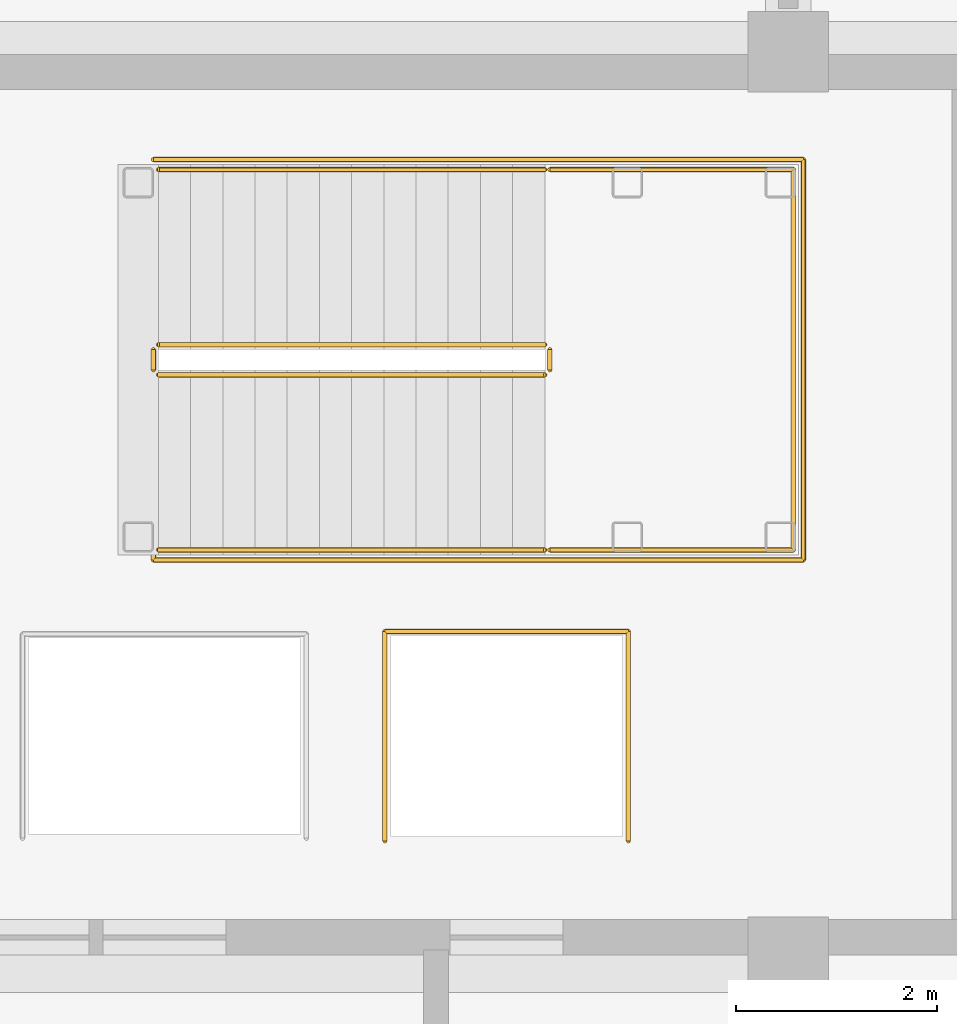
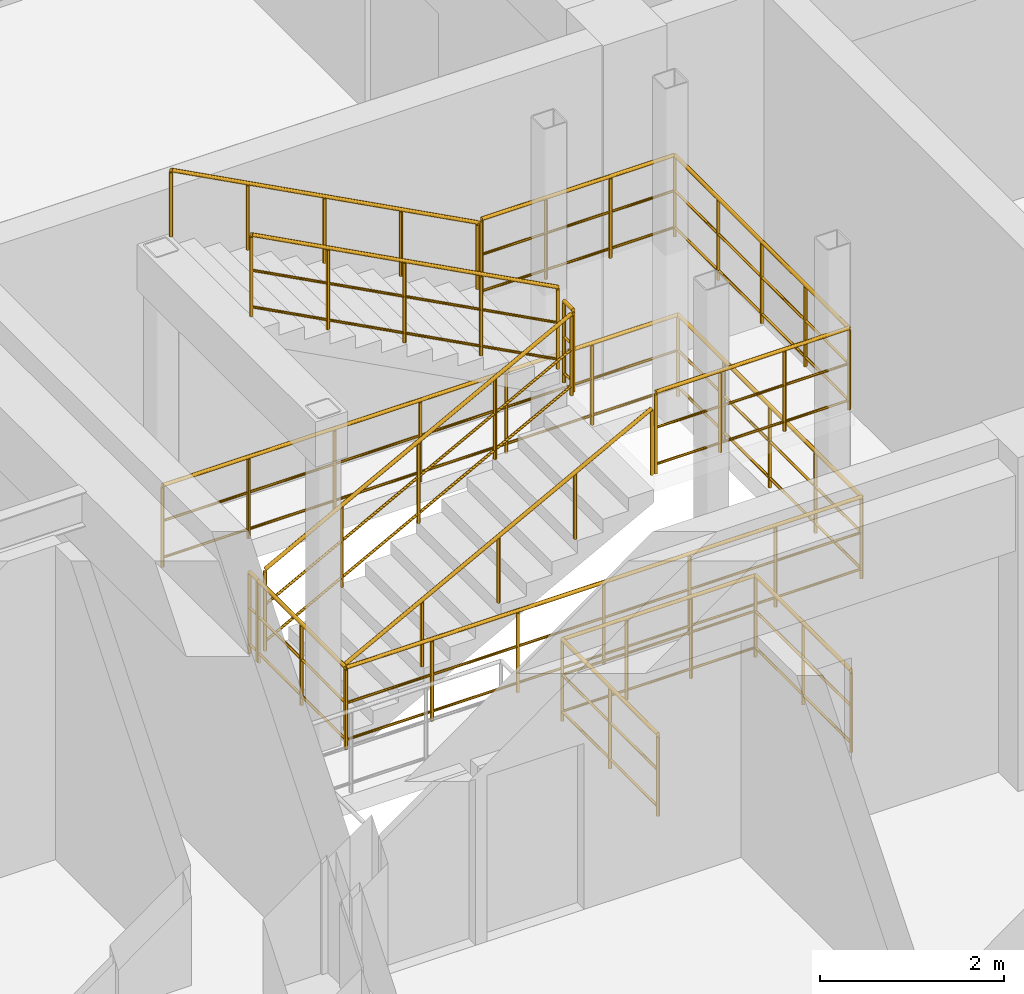
# One storey, part 128 of 133: 9 railings.
"""IFC4 building model written with IfcOpenShell, lengths in metres."""

import ifcopenshell
import ifcopenshell.guid

model = None  # the IFC model being written
_history = None  # IfcOwnerHistory: only IFC2X3 demands one
_inside = {}  # id of a spatial element -> (the spatial element, [elements in it])
_under = {}  # id of a project, library or spatial element -> (it, [spatial elements below it])
_declared = {}  # id of a project -> (the project, [libraries it declares])
_typed = {}  # id of a type object -> (the type object, [elements of that type])
_made_of = {}  # id of a material, layer set ... -> (it, [elements and type objects made of it])


def new_model(schema):
    """Start an empty IFC model of exactly this schema.

    Asked for "IFC4X3", IfcOpenShell would pick the latest addendum, in which some entities
    have other attributes; the version numbers below select the first issue.
    IFC2X3 requires an IfcOwnerHistory on every rooted entity: one is made here for all.
    """
    global model, _history
    if schema == "IFC4X3":
        model = ifcopenshell.file(schema_version=(4, 3, 0, 0))
    else:
        model = ifcopenshell.file(schema=schema)
    _inside.clear()
    _under.clear()
    _declared.clear()
    _typed.clear()
    _made_of.clear()
    _history = None
    if model.schema == "IFC2X3":
        org = make("IfcOrganization", Name="unknown")
        user = make(
            "IfcPersonAndOrganization",
            ThePerson=make("IfcPerson", FamilyName="unknown"),
            TheOrganization=org,
        )
        app = make(
            "IfcApplication",
            ApplicationDeveloper=org,
            Version="unknown",
            ApplicationFullName="unknown",
            ApplicationIdentifier="unknown",
        )
        _history = make(
            "IfcOwnerHistory",
            OwningUser=user,
            OwningApplication=app,
            ChangeAction="ADDED",
            CreationDate=0,
        )
    return model


def make(cls, **values):
    """One entity of the class cls with the attributes given. An attribute that is None is left unset."""
    return model.create_entity(
        cls, **{name: value for name, value in values.items() if value is not None}
    )


def rooted(cls, **values):
    """An entity with a GlobalId (a new one), such as an element, a storey or a relation."""
    return make(cls, GlobalId=ifcopenshell.guid.new(), OwnerHistory=_history, **values)


def si_unit(unit_type, name, prefix=None):
    """IfcSIUnit, for example si_unit("LENGTHUNIT", "METRE", prefix="MILLI")."""
    return make("IfcSIUnit", UnitType=unit_type, Prefix=prefix, Name=name)


def assignment(units):
    """IfcUnitAssignment: the units of a project."""
    return None if units is None else make("IfcUnitAssignment", Units=units)


def point(xyz):
    """IfcCartesianPoint."""
    return None if xyz is None else make("IfcCartesianPoint", Coordinates=xyz)


def direction(xyz):
    """IfcDirection."""
    return None if xyz is None else make("IfcDirection", DirectionRatios=xyz)


def frame(location, z_axis=None, x_axis=None):
    """IfcAxis2Placement3D, a coordinate frame: its origin and axes. An axis left out is left unset."""
    return make(
        "IfcAxis2Placement3D",
        Location=point(location),
        Axis=direction(z_axis),
        RefDirection=direction(x_axis),
    )


def frame_2d(location, x_axis=None):
    """IfcAxis2Placement2D, a coordinate frame in the plane: its origin and x axis."""
    return make(
        "IfcAxis2Placement2D", Location=point(location), RefDirection=direction(x_axis)
    )


def origin():
    """The frame at (0, 0, 0) with its axes left unset."""
    return frame((0.0, 0.0, 0.0))


def origin_2d():
    """The frame at (0, 0) in the plane with its x axis left unset."""
    return frame_2d((0.0, 0.0))


def place(relative_to, where):
    """IfcLocalPlacement: puts the frame where relative to a parent placement (None: the world)."""
    return make(
        "IfcLocalPlacement", PlacementRelTo=relative_to, RelativePlacement=where
    )


def context(
    kind, dimensions, precision=None, world=None, true_north=None, identifier=None
):
    """IfcGeometricRepresentationContext, for example the 3D "Model" context."""
    return make(
        "IfcGeometricRepresentationContext",
        ContextIdentifier=identifier,
        ContextType=kind,
        CoordinateSpaceDimension=dimensions,
        Precision=precision,
        WorldCoordinateSystem=world,
        TrueNorth=true_north,
    )


def subcontext(parent, identifier, kind, view, scale=None):
    """IfcGeometricRepresentationSubContext, for example "Body" below "Model"."""
    return make(
        "IfcGeometricRepresentationSubContext",
        ContextIdentifier=identifier,
        ContextType=kind,
        ParentContext=parent,
        TargetScale=scale,
        TargetView=view,
    )


def project(units=None, contexts=None):
    """IfcProject with its units and contexts."""
    return rooted(
        "IfcProject",
        Name="project",
        RepresentationContexts=contexts,
        UnitsInContext=assignment(units),
    )


def spatial(cls, under=None, at=None, **own):
    """A site, building, storey or space (cls), placed at a placement, below another one or the project."""
    s = rooted(cls, ObjectPlacement=at, **own)
    if under is not None:
        _under.setdefault(under.id(), (under, []))[1].append(s)
    return s


def profile(cls, at=None, kind="AREA", **sizes):
    """A parametric profile (cls). Its sizes go by their IFC names, for example OverallWidth=200.0."""
    return make(cls, ProfileType=kind, Position=at, **sizes)


def circle(**sizes):
    """IfcCircleProfileDef."""
    return profile("IfcCircleProfileDef", **sizes)


def extrude(swept, where, along, depth):
    """IfcExtrudedAreaSolid: the profile swept, set in the frame where, extruded along a direction by depth."""
    return make(
        "IfcExtrudedAreaSolid",
        SweptArea=swept,
        Position=where,
        ExtrudedDirection=direction(along),
        Depth=depth,
    )


def shape(context_of_items, identifier, shape_type, items):
    """IfcShapeRepresentation: the items that make up one representation, for example the "Body"."""
    return make(
        "IfcShapeRepresentation",
        ContextOfItems=context_of_items,
        RepresentationIdentifier=identifier,
        RepresentationType=shape_type,
        Items=items,
    )


def material(Name=None, Category=None):
    """IfcMaterial."""
    return make("IfcMaterial", Name=Name, Category=Category)


def made_of(thing, what):
    """Note that an element or type object is made of a material, layer set ...; save() writes the relation."""
    if what is not None:
        _made_of.setdefault(what.id(), (what, []))[1].append(thing)
    return thing


def type_object(cls, material=None, **own):
    """A type object (cls), such as IfcWallType, which elements share."""
    return made_of(rooted(cls, **own), material)


def element(
    cls,
    number,
    at=None,
    inside=None,
    cuts=None,
    type_object=None,
    material=None,
    context=None,
    identifier="Body",
    shape_type=None,
    held_by="IfcProductDefinitionShape",
    body=None,
    shapes=None,
    **own,
):
    """One element of the class cls, such as IfcWall. Its Tag is "e" and its number.

    at: its placement. inside: the storey or other place that contains it. cuts: it is an
    opening in that element (IfcRelVoidsElement). A single representation is given by context,
    identifier, shape_type and body (its items); several are given by shapes. held_by: the class
    of the entity that holds the representations. save() writes the other relations.
    """
    e = rooted(cls, Tag="e%d" % number, ObjectPlacement=at, **own)
    if body is not None:
        shapes = [shape(context, identifier, shape_type, body)]
    if shapes is not None:
        e.Representation = make(held_by, Representations=shapes)
    if inside is not None:
        _inside.setdefault(inside.id(), (inside, []))[1].append(e)
    if cuts is not None:
        rooted(
            "IfcRelVoidsElement", RelatingBuildingElement=cuts, RelatedOpeningElement=e
        )
    if type_object is not None:
        _typed.setdefault(type_object.id(), (type_object, []))[1].append(e)
    return made_of(e, material)


def aggregate(whole, parts):
    """IfcRelAggregates: a whole, such as a stair, and the parts it consists of."""
    return rooted("IfcRelAggregates", RelatingObject=whole, RelatedObjects=parts)


def save(model, path):
    """Write the relations noted so far, then the file.

    IfcRelAggregates (storeys below a building ...), IfcRelContainedInSpatialStructure (elements
    in a storey), IfcRelDefinesByType, IfcRelAssociatesMaterial and IfcRelDeclares: one each for
    every whole, place, type object, material and project.
    """
    for whole, parts in _under.values():
        aggregate(whole, parts)
    for where, things in _inside.values():
        rooted(
            "IfcRelContainedInSpatialStructure",
            RelatedElements=things,
            RelatingStructure=where,
        )
    for kind, things in _typed.values():
        rooted("IfcRelDefinesByType", RelatedObjects=things, RelatingType=kind)
    for what, things in _made_of.values():
        rooted("IfcRelAssociatesMaterial", RelatedObjects=things, RelatingMaterial=what)
    for by, libraries in _declared.values():
        rooted("IfcRelDeclares", RelatingContext=by, RelatedDefinitions=libraries)
    model.write(path)


model = new_model("IFC4")

# Units and contexts
model_context = context("Model", 3, precision=1e-05, world=origin(), true_north=direction((0.0, 1.0)))
body_context = subcontext(model_context, "Body", "Model", "MODEL_VIEW")
ifc_project = project(units=[si_unit("LENGTHUNIT", "METRE"), si_unit("AREAUNIT", "SQUARE_METRE"), si_unit("VOLUMEUNIT", "CUBIC_METRE"), si_unit("PLANEANGLEUNIT", "RADIAN"), si_unit("MASSUNIT", "GRAM", prefix="KILO")], contexts=[model_context])

# Site, building, storey
site_placement = place(None, origin())
site = spatial("IfcSite", under=ifc_project, at=site_placement, CompositionType="ELEMENT")
building_placement = place(site_placement, origin())
building = spatial("IfcBuilding", under=site, at=building_placement, Name="Miravela Opera House", CompositionType="ELEMENT")
storey_placement = place(building_placement, frame((0.0, 0.0, 5.10009765625)))
storey = spatial("IfcBuildingStorey", under=building, at=storey_placement, Name="L01", CompositionType="ELEMENT", Elevation=5.10009765625)

# Railings
ifc_material_1 = material(Name="Brushed bronze continuous stair handrail")
railing_type_1 = type_object("IfcRailingType", Name="ARC-RAIL-HAND-900", PredefinedType="HANDRAIL", material=ifc_material_1)
railing_1_placement = place(storey_placement, frame((47.739990234375, 70.050048828125, 0.169921875)))
element("IfcRailing", 1, at=railing_1_placement, inside=storey, type_object=railing_type_1, Name="L01 ST-01 stair handrail 1", PredefinedType="HANDRAIL", context=body_context, shape_type="SweptSolid", body=[
    extrude(circle(Radius=0.02392578125, at=origin_2d()), frame((0.0, 0.0, 0.8759765625), z_axis=(0.883116446401, 0.0, 0.469153857596), x_axis=(0.0, 1.0, 0.0)), (0.0, 0.0, 1.0), 4.348388671875),
    extrude(circle(Radius=0.02099609375, at=origin_2d()), origin(), (0.0, 0.0, 1.0), 0.851806640625),
    extrude(circle(Radius=0.02099609375, at=origin_2d()), frame((0.9599609375, 0.0, 0.510009765625)), (0.0, 0.0, 1.0), 0.851806640625),
    extrude(circle(Radius=0.02099609375, at=origin_2d()), frame((1.919921875, 0.0, 1.02001953125)), (0.0, 0.0, 1.0), 0.851806640625),
    extrude(circle(Radius=0.02099609375, at=origin_2d()), frame((2.880126953125, 0.0, 1.530029296875)), (0.0, 0.0, 1.0), 0.851806640625),
    extrude(circle(Radius=0.02099609375, at=origin_2d()), frame((3.840087890625, 0.0, 2.0400390625)), (0.0, 0.0, 1.0), 0.851806640625),
])
railing_2_placement = place(storey_placement, frame((51.580078125, 73.830078125, 2.3798828125)))
element("IfcRailing", 2, at=railing_2_placement, inside=storey, type_object=railing_type_1, Name="L01 ST-01 stair handrail 2", PredefinedType="HANDRAIL", context=body_context, shape_type="SweptSolid", body=[
    extrude(circle(Radius=0.02392578125, at=origin_2d()), frame((0.0, 0.0, 0.8759765625), z_axis=(-0.883116446401, 0.0, 0.469153857596), x_axis=(0.0, -1.0, 0.0)), (0.0, 0.0, 1.0), 4.348388671875),
    extrude(circle(Radius=0.02099609375, at=origin_2d()), origin(), (0.0, 0.0, 1.0), 0.851806640625),
    extrude(circle(Radius=0.02099609375, at=origin_2d()), frame((-0.9599609375, 0.0, 0.510009765625)), (0.0, 0.0, 1.0), 0.851806640625),
    extrude(circle(Radius=0.02099609375, at=origin_2d()), frame((-1.919921875, 0.0, 1.02001953125)), (0.0, 0.0, 1.0), 0.851806640625),
    extrude(circle(Radius=0.02099609375, at=origin_2d()), frame((-2.880126953125, 0.0, 1.530029296875)), (0.0, 0.0, 1.0), 0.851806640625),
    extrude(circle(Radius=0.02099609375, at=origin_2d()), frame((-3.840087890625, 0.0, 2.0400390625)), (0.0, 0.0, 1.0), 0.851806640625),
])
ifc_material_2 = material(Name="Painted wrought-iron stair guardrail")
railing_type_2 = type_object("IfcRailingType", Name="ARC-RAIL-STAIR-GUARD", PredefinedType="GUARDRAIL", material=ifc_material_2)
railing_3_placement = place(storey_placement, frame((47.739990234375, 71.7900390625, 0.169921875)))
element("IfcRailing", 3, at=railing_3_placement, inside=storey, type_object=railing_type_2, Name="L01 ST-01 stair guard 1", PredefinedType="GUARDRAIL", context=body_context, shape_type="SweptSolid", body=[
    extrude(circle(Radius=0.02392578125, at=origin_2d()), frame((0.0, 0.0, 1.076171875), z_axis=(0.883116446401, 0.0, 0.469153857596), x_axis=(0.0, 1.0, 0.0)), (0.0, 0.0, 1.0), 4.348388671875),
    extrude(circle(Radius=0.01611328125, at=origin_2d()), frame((0.0, 0.0, 0.60498046875), z_axis=(0.883116446401, 0.0, 0.469153857596), x_axis=(0.0, 1.0, 0.0)), (0.0, 0.0, 1.0), 4.348388671875),
    extrude(circle(Radius=0.01611328125, at=origin_2d()), frame((0.0, 0.0, 0.1201171875), z_axis=(0.883116446401, 0.0, 0.469153857596), x_axis=(0.0, 1.0, 0.0)), (0.0, 0.0, 1.0), 4.348388671875),
    extrude(circle(Radius=0.02099609375, at=origin_2d()), origin(), (0.0, 0.0, 1.0), 1.052001953125),
    extrude(circle(Radius=0.02099609375, at=origin_2d()), frame((0.9599609375, 0.0, 0.510009765625)), (0.0, 0.0, 1.0), 1.052001953125),
    extrude(circle(Radius=0.02099609375, at=origin_2d()), frame((1.919921875, 0.0, 1.02001953125)), (0.0, 0.0, 1.0), 1.052001953125),
    extrude(circle(Radius=0.02099609375, at=origin_2d()), frame((2.880126953125, 0.0, 1.530029296875)), (0.0, 0.0, 1.0), 1.052001953125),
    extrude(circle(Radius=0.02099609375, at=origin_2d()), frame((3.840087890625, 0.0, 2.0400390625)), (0.0, 0.0, 1.0), 1.052001953125),
])
railing_4_placement = place(storey_placement, frame((51.6298828125, 71.840087890625, 2.2099609375)))
element("IfcRailing", 4, at=railing_4_placement, inside=storey, type_object=railing_type_2, Name="L01 ST-01 stair guard 2", PredefinedType="GUARDRAIL", context=body_context, shape_type="SweptSolid", body=[
    extrude(circle(Radius=0.02392578125, at=origin_2d()), frame((0.0, 0.0, 1.076171875), z_axis=(0.0, 1.0, 0.0), x_axis=(-1.0, 0.0, 0.0)), (0.0, 0.0, 1.0), 0.199951171875),
    extrude(circle(Radius=0.01611328125, at=origin_2d()), frame((0.0, 0.0, 0.60498046875), z_axis=(0.0, 1.0, 0.0), x_axis=(-1.0, 0.0, 0.0)), (0.0, 0.0, 1.0), 0.199951171875),
    extrude(circle(Radius=0.01611328125, at=origin_2d()), frame((0.0, 0.0, 0.1201171875), z_axis=(0.0, 1.0, 0.0), x_axis=(-1.0, 0.0, 0.0)), (0.0, 0.0, 1.0), 0.199951171875),
    extrude(circle(Radius=0.02099609375, at=origin_2d()), origin(), (0.0, 0.0, 1.0), 1.052001953125),
    extrude(circle(Radius=0.02099609375, at=origin_2d()), frame((0.0, 0.199951171875, 0.0)), (0.0, 0.0, 1.0), 1.052001953125),
])
railing_5_placement = place(storey_placement, frame((51.580078125, 72.090087890625, 2.3798828125)))
element("IfcRailing", 5, at=railing_5_placement, inside=storey, type_object=railing_type_2, Name="L01 ST-01 stair guard 3", PredefinedType="GUARDRAIL", context=body_context, shape_type="SweptSolid", body=[
    extrude(circle(Radius=0.02392578125, at=origin_2d()), frame((0.0, 0.0, 1.076171875), z_axis=(-0.883116446401, 0.0, 0.469153857596), x_axis=(0.0, -1.0, 0.0)), (0.0, 0.0, 1.0), 4.348388671875),
    extrude(circle(Radius=0.01611328125, at=origin_2d()), frame((0.0, 0.0, 0.60498046875), z_axis=(-0.883116446401, 0.0, 0.469153857596), x_axis=(0.0, -1.0, 0.0)), (0.0, 0.0, 1.0), 4.348388671875),
    extrude(circle(Radius=0.01611328125, at=origin_2d()), frame((0.0, 0.0, 0.1201171875), z_axis=(-0.883116446401, 0.0, 0.469153857596), x_axis=(0.0, -1.0, 0.0)), (0.0, 0.0, 1.0), 4.348388671875),
    extrude(circle(Radius=0.02099609375, at=origin_2d()), origin(), (0.0, 0.0, 1.0), 1.052001953125),
    extrude(circle(Radius=0.02099609375, at=origin_2d()), frame((-0.9599609375, 0.0, 0.510009765625)), (0.0, 0.0, 1.0), 1.052001953125),
    extrude(circle(Radius=0.02099609375, at=origin_2d()), frame((-1.919921875, 0.0, 1.02001953125)), (0.0, 0.0, 1.0), 1.052001953125),
    extrude(circle(Radius=0.02099609375, at=origin_2d()), frame((-2.880126953125, 0.0, 1.530029296875)), (0.0, 0.0, 1.0), 1.052001953125),
    extrude(circle(Radius=0.02099609375, at=origin_2d()), frame((-3.840087890625, 0.0, 2.0400390625)), (0.0, 0.0, 1.0), 1.052001953125),
])
railing_6_placement = place(storey_placement, frame((47.68994140625, 71.840087890625, 0.0)))
element("IfcRailing", 6, at=railing_6_placement, inside=storey, type_object=railing_type_2, Name="L01 ST-01 stair guard 4", PredefinedType="GUARDRAIL", context=body_context, shape_type="SweptSolid", body=[
    extrude(circle(Radius=0.02392578125, at=origin_2d()), frame((0.0, 0.0, 1.076171875), z_axis=(0.0, 1.0, 0.0), x_axis=(-1.0, 0.0, 0.0)), (0.0, 0.0, 1.0), 0.199951171875),
    extrude(circle(Radius=0.01611328125, at=origin_2d()), frame((0.0, 0.0, 0.60498046875), z_axis=(0.0, 1.0, 0.0), x_axis=(-1.0, 0.0, 0.0)), (0.0, 0.0, 1.0), 0.199951171875),
    extrude(circle(Radius=0.01611328125, at=origin_2d()), frame((0.0, 0.0, 0.1201171875), z_axis=(0.0, 1.0, 0.0), x_axis=(-1.0, 0.0, 0.0)), (0.0, 0.0, 1.0), 0.199951171875),
    extrude(circle(Radius=0.02099609375, at=origin_2d()), origin(), (0.0, 0.0, 1.0), 1.052001953125),
    extrude(circle(Radius=0.02099609375, at=origin_2d()), frame((0.0, 0.199951171875, 0.0)), (0.0, 0.0, 1.0), 1.052001953125),
])
railing_7_placement = place(storey_placement, frame((51.6298828125, 70.050048828125, 2.2099609375)))
element("IfcRailing", 7, at=railing_7_placement, inside=storey, type_object=railing_type_2, Name="Stair ST-01 Half-Landing Perimeter Guard (L01) 0003", PredefinedType="GUARDRAIL", context=body_context, shape_type="SweptSolid", body=[
    extrude(circle(Radius=0.02392578125, at=origin_2d()), frame((0.0, 0.0, 1.076171875), z_axis=(1.0, 0.0, 0.0), x_axis=(0.0, 1.0, 0.0)), (0.0, 0.0, 1.0), 2.420166015625),
    extrude(circle(Radius=0.01611328125, at=origin_2d()), frame((0.0, 0.0, 0.60498046875), z_axis=(1.0, 0.0, 0.0), x_axis=(0.0, 1.0, 0.0)), (0.0, 0.0, 1.0), 2.420166015625),
    extrude(circle(Radius=0.01611328125, at=origin_2d()), frame((0.0, 0.0, 0.1201171875), z_axis=(1.0, 0.0, 0.0), x_axis=(0.0, 1.0, 0.0)), (0.0, 0.0, 1.0), 2.420166015625),
    extrude(circle(Radius=0.02392578125, at=origin_2d()), frame((2.420166015625, 0.0, 1.076171875), z_axis=(0.0, 1.0, 0.0), x_axis=(-1.0, 0.0, 0.0)), (0.0, 0.0, 1.0), 3.780029296875),
    extrude(circle(Radius=0.01611328125, at=origin_2d()), frame((2.420166015625, 0.0, 0.60498046875), z_axis=(0.0, 1.0, 0.0), x_axis=(-1.0, 0.0, 0.0)), (0.0, 0.0, 1.0), 3.780029296875),
    extrude(circle(Radius=0.01611328125, at=origin_2d()), frame((2.420166015625, 0.0, 0.1201171875), z_axis=(0.0, 1.0, 0.0), x_axis=(-1.0, 0.0, 0.0)), (0.0, 0.0, 1.0), 3.780029296875),
    extrude(circle(Radius=0.02392578125, at=origin_2d()), frame((2.420166015625, 3.780029296875, 1.076171875), z_axis=(-1.0, 0.0, 0.0), x_axis=(0.0, -1.0, 0.0)), (0.0, 0.0, 1.0), 2.420166015625),
    extrude(circle(Radius=0.01611328125, at=origin_2d()), frame((2.420166015625, 3.780029296875, 0.60498046875), z_axis=(-1.0, 0.0, 0.0), x_axis=(0.0, -1.0, 0.0)), (0.0, 0.0, 1.0), 2.420166015625),
    extrude(circle(Radius=0.01611328125, at=origin_2d()), frame((2.420166015625, 3.780029296875, 0.1201171875), z_axis=(-1.0, 0.0, 0.0), x_axis=(0.0, -1.0, 0.0)), (0.0, 0.0, 1.0), 2.420166015625),
    extrude(circle(Radius=0.02099609375, at=origin_2d()), origin(), (0.0, 0.0, 1.0), 1.052001953125),
    extrude(circle(Radius=0.02099609375, at=origin_2d()), frame((0.806640625, 0.0, 0.0)), (0.0, 0.0, 1.0), 1.052001953125),
    extrude(circle(Radius=0.02099609375, at=origin_2d()), frame((1.613525390625, 0.0, 0.0)), (0.0, 0.0, 1.0), 1.052001953125),
    extrude(circle(Radius=0.02099609375, at=origin_2d()), frame((2.420166015625, 0.0, 0.0)), (0.0, 0.0, 1.0), 1.052001953125),
    extrude(circle(Radius=0.02099609375, at=origin_2d()), frame((2.420166015625, 0.945068359375, 0.0)), (0.0, 0.0, 1.0), 1.052001953125),
    extrude(circle(Radius=0.02099609375, at=origin_2d()), frame((2.420166015625, 1.89013671875, 0.0)), (0.0, 0.0, 1.0), 1.052001953125),
    extrude(circle(Radius=0.02099609375, at=origin_2d()), frame((2.420166015625, 2.8349609375, 0.0)), (0.0, 0.0, 1.0), 1.052001953125),
    extrude(circle(Radius=0.02099609375, at=origin_2d()), frame((2.420166015625, 3.780029296875, 0.0)), (0.0, 0.0, 1.0), 1.052001953125),
    extrude(circle(Radius=0.02099609375, at=origin_2d()), frame((1.613525390625, 3.780029296875, 0.0)), (0.0, 0.0, 1.0), 1.052001953125),
    extrude(circle(Radius=0.02099609375, at=origin_2d()), frame((0.806640625, 3.780029296875, 0.0)), (0.0, 0.0, 1.0), 1.052001953125),
    extrude(circle(Radius=0.02099609375, at=origin_2d()), frame((0.0, 3.780029296875, 0.0)), (0.0, 0.0, 1.0), 1.052001953125),
])
railing_8_placement = place(storey_placement, frame((47.68994140625, 71.8701171875, 0.0)))
element("IfcRailing", 8, at=railing_8_placement, inside=storey, type_object=railing_type_2, Name="Stair ST-01 Well Slab Opening Guard (L01) 0008", PredefinedType="GUARDRAIL", context=body_context, shape_type="SweptSolid", body=[
    extrude(circle(Radius=0.02392578125, at=origin_2d()), frame((0.0, 0.0, 1.076171875), z_axis=(0.0, -1.0, 0.0), x_axis=(1.0, 0.0, 0.0)), (0.0, 0.0, 1.0), 1.920166015625),
    extrude(circle(Radius=0.01611328125, at=origin_2d()), frame((0.0, 0.0, 0.60498046875), z_axis=(0.0, -1.0, 0.0), x_axis=(1.0, 0.0, 0.0)), (0.0, 0.0, 1.0), 1.920166015625),
    extrude(circle(Radius=0.01611328125, at=origin_2d()), frame((0.0, 0.0, 0.1201171875), z_axis=(0.0, -1.0, 0.0), x_axis=(1.0, 0.0, 0.0)), (0.0, 0.0, 1.0), 1.920166015625),
    extrude(circle(Radius=0.02392578125, at=origin_2d()), frame((0.0, -1.920166015625, 1.076171875), z_axis=(1.0, 0.0, 0.0), x_axis=(0.0, 1.0, 0.0)), (0.0, 0.0, 1.0), 6.4599609375),
    extrude(circle(Radius=0.01611328125, at=origin_2d()), frame((0.0, -1.920166015625, 0.60498046875), z_axis=(1.0, 0.0, 0.0), x_axis=(0.0, 1.0, 0.0)), (0.0, 0.0, 1.0), 6.4599609375),
    extrude(circle(Radius=0.01611328125, at=origin_2d()), frame((0.0, -1.920166015625, 0.1201171875), z_axis=(1.0, 0.0, 0.0), x_axis=(0.0, 1.0, 0.0)), (0.0, 0.0, 1.0), 6.4599609375),
    extrude(circle(Radius=0.02392578125, at=origin_2d()), frame((6.4599609375, -1.920166015625, 1.076171875), z_axis=(0.0, 1.0, 0.0), x_axis=(-1.0, 0.0, 0.0)), (0.0, 0.0, 1.0), 3.97998046875),
    extrude(circle(Radius=0.01611328125, at=origin_2d()), frame((6.4599609375, -1.920166015625, 0.60498046875), z_axis=(0.0, 1.0, 0.0), x_axis=(-1.0, 0.0, 0.0)), (0.0, 0.0, 1.0), 3.97998046875),
    extrude(circle(Radius=0.01611328125, at=origin_2d()), frame((6.4599609375, -1.920166015625, 0.1201171875), z_axis=(0.0, 1.0, 0.0), x_axis=(-1.0, 0.0, 0.0)), (0.0, 0.0, 1.0), 3.97998046875),
    extrude(circle(Radius=0.02392578125, at=origin_2d()), frame((6.4599609375, 2.059814453125, 1.076171875), z_axis=(-1.0, 0.0, 0.0), x_axis=(0.0, -1.0, 0.0)), (0.0, 0.0, 1.0), 6.4599609375),
    extrude(circle(Radius=0.01611328125, at=origin_2d()), frame((6.4599609375, 2.059814453125, 0.60498046875), z_axis=(-1.0, 0.0, 0.0), x_axis=(0.0, -1.0, 0.0)), (0.0, 0.0, 1.0), 6.4599609375),
    extrude(circle(Radius=0.01611328125, at=origin_2d()), frame((6.4599609375, 2.059814453125, 0.1201171875), z_axis=(-1.0, 0.0, 0.0), x_axis=(0.0, -1.0, 0.0)), (0.0, 0.0, 1.0), 6.4599609375),
    extrude(circle(Radius=0.02099609375, at=origin_2d()), origin(), (0.0, 0.0, 1.0), 1.052001953125),
    extrude(circle(Radius=0.02099609375, at=origin_2d()), frame((0.0, -0.9599609375, 0.0)), (0.0, 0.0, 1.0), 1.052001953125),
    extrude(circle(Radius=0.02099609375, at=origin_2d()), frame((0.0, -1.920166015625, 0.0)), (0.0, 0.0, 1.0), 1.052001953125),
    extrude(circle(Radius=0.02099609375, at=origin_2d()), frame((1.07666015625, -1.920166015625, 0.0)), (0.0, 0.0, 1.0), 1.052001953125),
    extrude(circle(Radius=0.02099609375, at=origin_2d()), frame((2.1533203125, -1.920166015625, 0.0)), (0.0, 0.0, 1.0), 1.052001953125),
    extrude(circle(Radius=0.02099609375, at=origin_2d()), frame((3.22998046875, -1.920166015625, 0.0)), (0.0, 0.0, 1.0), 1.052001953125),
    extrude(circle(Radius=0.02099609375, at=origin_2d()), frame((4.306640625, -1.920166015625, 0.0)), (0.0, 0.0, 1.0), 1.052001953125),
    extrude(circle(Radius=0.02099609375, at=origin_2d()), frame((5.38330078125, -1.920166015625, 0.0)), (0.0, 0.0, 1.0), 1.052001953125),
    extrude(circle(Radius=0.02099609375, at=origin_2d()), frame((6.4599609375, -1.920166015625, 0.0)), (0.0, 0.0, 1.0), 1.052001953125),
    extrude(circle(Radius=0.02099609375, at=origin_2d()), frame((6.4599609375, -0.92529296875, 0.0)), (0.0, 0.0, 1.0), 1.052001953125),
    extrude(circle(Radius=0.02099609375, at=origin_2d()), frame((6.4599609375, 0.06982421875, 0.0)), (0.0, 0.0, 1.0), 1.052001953125),
    extrude(circle(Radius=0.02099609375, at=origin_2d()), frame((6.4599609375, 1.06494140625, 0.0)), (0.0, 0.0, 1.0), 1.052001953125),
    extrude(circle(Radius=0.02099609375, at=origin_2d()), frame((6.4599609375, 2.059814453125, 0.0)), (0.0, 0.0, 1.0), 1.052001953125),
    extrude(circle(Radius=0.02099609375, at=origin_2d()), frame((5.38330078125, 2.059814453125, 0.0)), (0.0, 0.0, 1.0), 1.052001953125),
    extrude(circle(Radius=0.02099609375, at=origin_2d()), frame((4.306640625, 2.059814453125, 0.0)), (0.0, 0.0, 1.0), 1.052001953125),
    extrude(circle(Radius=0.02099609375, at=origin_2d()), frame((3.22998046875, 2.059814453125, 0.0)), (0.0, 0.0, 1.0), 1.052001953125),
    extrude(circle(Radius=0.02099609375, at=origin_2d()), frame((2.1533203125, 2.059814453125, 0.0)), (0.0, 0.0, 1.0), 1.052001953125),
    extrude(circle(Radius=0.02099609375, at=origin_2d()), frame((1.07666015625, 2.059814453125, 0.0)), (0.0, 0.0, 1.0), 1.052001953125),
    extrude(circle(Radius=0.02099609375, at=origin_2d()), frame((0.0, 2.059814453125, 0.0)), (0.0, 0.0, 1.0), 1.052001953125),
])
railing_9_placement = place(storey_placement, frame((49.989990234375, 67.159912109375, 0.0)))
element("IfcRailing", 9, at=railing_9_placement, inside=storey, type_object=railing_type_2, Name="Lift PL-01 Hoistway Slab Opening Guard (L01) 0100", PredefinedType="GUARDRAIL", context=body_context, shape_type="SweptSolid", body=[
    extrude(circle(Radius=0.02392578125, at=origin_2d()), frame((0.0, 0.0, 1.076171875), z_axis=(0.0, 1.0, 0.0), x_axis=(-1.0, 0.0, 0.0)), (0.0, 0.0, 1.0), 2.080078125),
    extrude(circle(Radius=0.01611328125, at=origin_2d()), frame((0.0, 0.0, 0.60498046875), z_axis=(0.0, 1.0, 0.0), x_axis=(-1.0, 0.0, 0.0)), (0.0, 0.0, 1.0), 2.080078125),
    extrude(circle(Radius=0.01611328125, at=origin_2d()), frame((0.0, 0.0, 0.1201171875), z_axis=(0.0, 1.0, 0.0), x_axis=(-1.0, 0.0, 0.0)), (0.0, 0.0, 1.0), 2.080078125),
    extrude(circle(Radius=0.02392578125, at=origin_2d()), frame((0.0, 2.080078125, 1.076171875), z_axis=(1.0, 0.0, 0.0), x_axis=(0.0, 1.0, 0.0)), (0.0, 0.0, 1.0), 2.419921875),
    extrude(circle(Radius=0.01611328125, at=origin_2d()), frame((0.0, 2.080078125, 0.60498046875), z_axis=(1.0, 0.0, 0.0), x_axis=(0.0, 1.0, 0.0)), (0.0, 0.0, 1.0), 2.419921875),
    extrude(circle(Radius=0.01611328125, at=origin_2d()), frame((0.0, 2.080078125, 0.1201171875), z_axis=(1.0, 0.0, 0.0), x_axis=(0.0, 1.0, 0.0)), (0.0, 0.0, 1.0), 2.419921875),
    extrude(circle(Radius=0.02392578125, at=origin_2d()), frame((2.419921875, 2.080078125, 1.076171875), z_axis=(0.0, -1.0, 0.0), x_axis=(1.0, 0.0, 0.0)), (0.0, 0.0, 1.0), 2.080078125),
    extrude(circle(Radius=0.01611328125, at=origin_2d()), frame((2.419921875, 2.080078125, 0.60498046875), z_axis=(0.0, -1.0, 0.0), x_axis=(1.0, 0.0, 0.0)), (0.0, 0.0, 1.0), 2.080078125),
    extrude(circle(Radius=0.01611328125, at=origin_2d()), frame((2.419921875, 2.080078125, 0.1201171875), z_axis=(0.0, -1.0, 0.0), x_axis=(1.0, 0.0, 0.0)), (0.0, 0.0, 1.0), 2.080078125),
    extrude(circle(Radius=0.02099609375, at=origin_2d()), origin(), (0.0, 0.0, 1.0), 1.052001953125),
    extrude(circle(Radius=0.02099609375, at=origin_2d()), frame((0.0, 1.0400390625, 0.0)), (0.0, 0.0, 1.0), 1.052001953125),
    extrude(circle(Radius=0.02099609375, at=origin_2d()), frame((0.0, 2.080078125, 0.0)), (0.0, 0.0, 1.0), 1.052001953125),
    extrude(circle(Radius=0.02099609375, at=origin_2d()), frame((0.806640625, 2.080078125, 0.0)), (0.0, 0.0, 1.0), 1.052001953125),
    extrude(circle(Radius=0.02099609375, at=origin_2d()), frame((1.61328125, 2.080078125, 0.0)), (0.0, 0.0, 1.0), 1.052001953125),
    extrude(circle(Radius=0.02099609375, at=origin_2d()), frame((2.419921875, 2.080078125, 0.0)), (0.0, 0.0, 1.0), 1.052001953125),
    extrude(circle(Radius=0.02099609375, at=origin_2d()), frame((2.419921875, 1.0400390625, 0.0)), (0.0, 0.0, 1.0), 1.052001953125),
    extrude(circle(Radius=0.02099609375, at=origin_2d()), frame((2.419921875, 0.0, 0.0)), (0.0, 0.0, 1.0), 1.052001953125),
])

save(model, "model.ifc")
